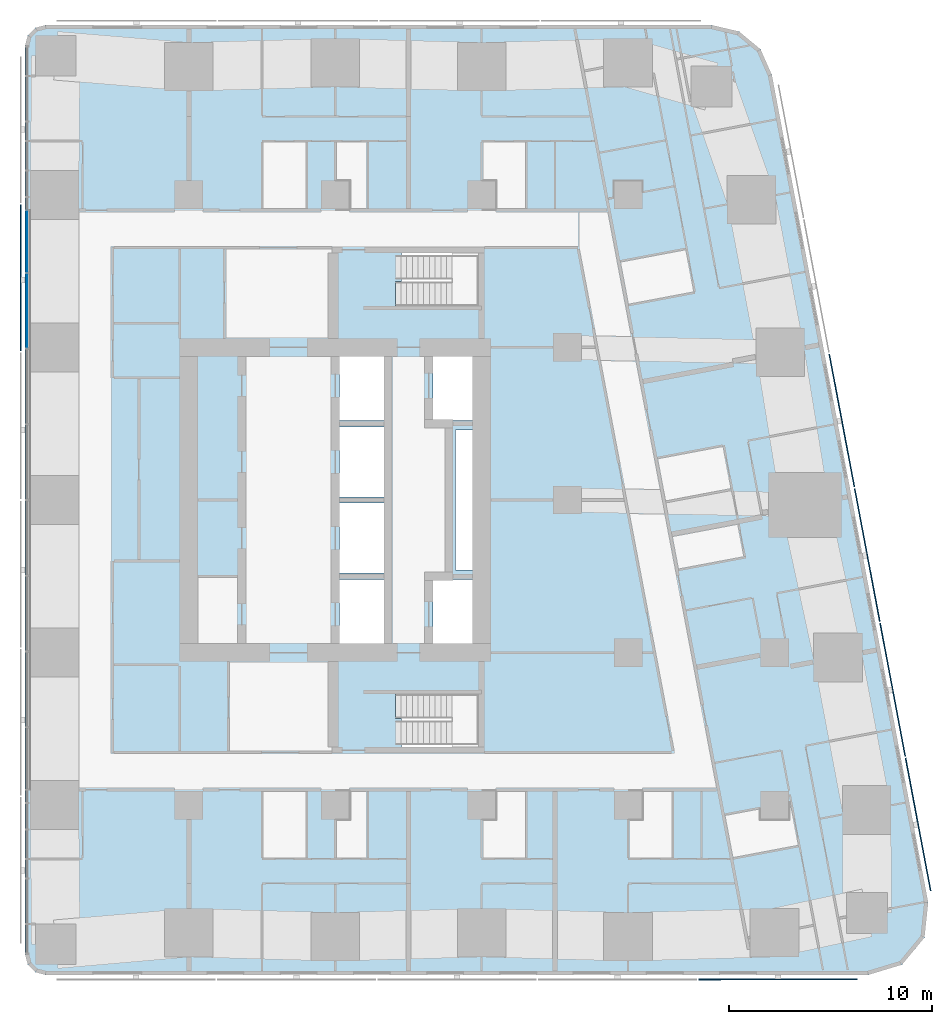
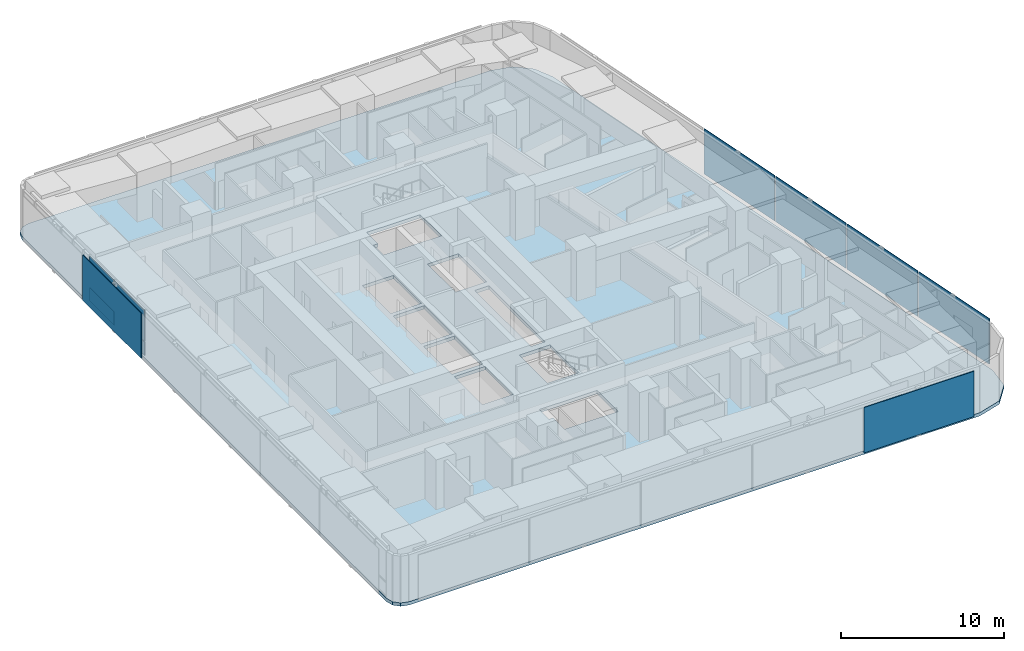
# One storey, part 8 of 19: 10 plates, 1 slab, 1 element without a shape of its own.
"""IFC4 building model written with IfcOpenShell, lengths in metres."""

import ifcopenshell
import ifcopenshell.guid

model = None  # the IFC model being written
_history = None  # IfcOwnerHistory: only IFC2X3 demands one
_inside = {}  # id of a spatial element -> (the spatial element, [elements in it])
_under = {}  # id of a project, library or spatial element -> (it, [spatial elements below it])
_declared = {}  # id of a project -> (the project, [libraries it declares])
_typed = {}  # id of a type object -> (the type object, [elements of that type])
_made_of = {}  # id of a material, layer set ... -> (it, [elements and type objects made of it])


def new_model(schema):
    """Start an empty IFC model of exactly this schema.

    Asked for "IFC4X3", IfcOpenShell would pick the latest addendum, in which some entities
    have other attributes; the version numbers below select the first issue.
    IFC2X3 requires an IfcOwnerHistory on every rooted entity: one is made here for all.
    """
    global model, _history
    if schema == "IFC4X3":
        model = ifcopenshell.file(schema_version=(4, 3, 0, 0))
    else:
        model = ifcopenshell.file(schema=schema)
    _inside.clear()
    _under.clear()
    _declared.clear()
    _typed.clear()
    _made_of.clear()
    _history = None
    if model.schema == "IFC2X3":
        org = make("IfcOrganization", Name="unknown")
        user = make(
            "IfcPersonAndOrganization",
            ThePerson=make("IfcPerson", FamilyName="unknown"),
            TheOrganization=org,
        )
        app = make(
            "IfcApplication",
            ApplicationDeveloper=org,
            Version="unknown",
            ApplicationFullName="unknown",
            ApplicationIdentifier="unknown",
        )
        _history = make(
            "IfcOwnerHistory",
            OwningUser=user,
            OwningApplication=app,
            ChangeAction="ADDED",
            CreationDate=0,
        )
    return model


def make(cls, **values):
    """One entity of the class cls with the attributes given. An attribute that is None is left unset."""
    return model.create_entity(
        cls, **{name: value for name, value in values.items() if value is not None}
    )


def rooted(cls, **values):
    """An entity with a GlobalId (a new one), such as an element, a storey or a relation."""
    return make(cls, GlobalId=ifcopenshell.guid.new(), OwnerHistory=_history, **values)


def si_unit(unit_type, name, prefix=None):
    """IfcSIUnit, for example si_unit("LENGTHUNIT", "METRE", prefix="MILLI")."""
    return make("IfcSIUnit", UnitType=unit_type, Prefix=prefix, Name=name)


def assignment(units):
    """IfcUnitAssignment: the units of a project."""
    return None if units is None else make("IfcUnitAssignment", Units=units)


def point(xyz):
    """IfcCartesianPoint."""
    return None if xyz is None else make("IfcCartesianPoint", Coordinates=xyz)


def direction(xyz):
    """IfcDirection."""
    return None if xyz is None else make("IfcDirection", DirectionRatios=xyz)


def frame(location, z_axis=None, x_axis=None):
    """IfcAxis2Placement3D, a coordinate frame: its origin and axes. An axis left out is left unset."""
    return make(
        "IfcAxis2Placement3D",
        Location=point(location),
        Axis=direction(z_axis),
        RefDirection=direction(x_axis),
    )


def frame_2d(location, x_axis=None):
    """IfcAxis2Placement2D, a coordinate frame in the plane: its origin and x axis."""
    return make(
        "IfcAxis2Placement2D", Location=point(location), RefDirection=direction(x_axis)
    )


def origin():
    """The frame at (0, 0, 0) with its axes left unset."""
    return frame((0.0, 0.0, 0.0))


def origin_2d():
    """The frame at (0, 0) in the plane with its x axis left unset."""
    return frame_2d((0.0, 0.0))


def place(relative_to, where):
    """IfcLocalPlacement: puts the frame where relative to a parent placement (None: the world)."""
    return make(
        "IfcLocalPlacement", PlacementRelTo=relative_to, RelativePlacement=where
    )


def context(
    kind, dimensions, precision=None, world=None, true_north=None, identifier=None
):
    """IfcGeometricRepresentationContext, for example the 3D "Model" context."""
    return make(
        "IfcGeometricRepresentationContext",
        ContextIdentifier=identifier,
        ContextType=kind,
        CoordinateSpaceDimension=dimensions,
        Precision=precision,
        WorldCoordinateSystem=world,
        TrueNorth=true_north,
    )


def subcontext(parent, identifier, kind, view, scale=None):
    """IfcGeometricRepresentationSubContext, for example "Body" below "Model"."""
    return make(
        "IfcGeometricRepresentationSubContext",
        ContextIdentifier=identifier,
        ContextType=kind,
        ParentContext=parent,
        TargetScale=scale,
        TargetView=view,
    )


def project(units=None, contexts=None):
    """IfcProject with its units and contexts."""
    return rooted(
        "IfcProject",
        Name="project",
        RepresentationContexts=contexts,
        UnitsInContext=assignment(units),
    )


def spatial(cls, under=None, at=None, **own):
    """A site, building, storey or space (cls), placed at a placement, below another one or the project."""
    s = rooted(cls, ObjectPlacement=at, **own)
    if under is not None:
        _under.setdefault(under.id(), (under, []))[1].append(s)
    return s


def polyline(points):
    """IfcPolyline through the points."""
    return make("IfcPolyline", Points=[point(p) for p in points])


def profile(cls, at=None, kind="AREA", **sizes):
    """A parametric profile (cls). Its sizes go by their IFC names, for example OverallWidth=200.0."""
    return make(cls, ProfileType=kind, Position=at, **sizes)


def rectangle(**sizes):
    """IfcRectangleProfileDef."""
    return profile("IfcRectangleProfileDef", **sizes)


def outline(outer, holes=None, kind="AREA"):
    """IfcArbitraryClosedProfileDef: a profile drawn as a closed curve; with holes, ...WithVoids."""
    if holes is None:
        return make("IfcArbitraryClosedProfileDef", ProfileType=kind, OuterCurve=outer)
    return make(
        "IfcArbitraryProfileDefWithVoids",
        ProfileType=kind,
        OuterCurve=outer,
        InnerCurves=holes,
    )


def extrude(swept, where, along, depth):
    """IfcExtrudedAreaSolid: the profile swept, set in the frame where, extruded along a direction by depth."""
    return make(
        "IfcExtrudedAreaSolid",
        SweptArea=swept,
        Position=where,
        ExtrudedDirection=direction(along),
        Depth=depth,
    )


def shape(context_of_items, identifier, shape_type, items):
    """IfcShapeRepresentation: the items that make up one representation, for example the "Body"."""
    return make(
        "IfcShapeRepresentation",
        ContextOfItems=context_of_items,
        RepresentationIdentifier=identifier,
        RepresentationType=shape_type,
        Items=items,
    )


def material(Name=None, Category=None):
    """IfcMaterial."""
    return make("IfcMaterial", Name=Name, Category=Category)


def layer(
    of_material, thickness, ventilated=None, Name=None, Category=None, Priority=None
):
    """IfcMaterialLayer: one layer of a wall or slab, of a material (None: an air gap)."""
    return make(
        "IfcMaterialLayer",
        Material=of_material,
        LayerThickness=thickness,
        IsVentilated=ventilated,
        Name=Name,
        Category=Category,
        Priority=Priority,
    )


def layer_set(layers, Name=None):
    """IfcMaterialLayerSet."""
    return make("IfcMaterialLayerSet", MaterialLayers=layers, LayerSetName=Name)


def made_of(thing, what):
    """Note that an element or type object is made of a material, layer set ...; save() writes the relation."""
    if what is not None:
        _made_of.setdefault(what.id(), (what, []))[1].append(thing)
    return thing


def type_object(cls, material=None, **own):
    """A type object (cls), such as IfcWallType, which elements share."""
    return made_of(rooted(cls, **own), material)


def element(
    cls,
    number,
    at=None,
    inside=None,
    cuts=None,
    type_object=None,
    material=None,
    context=None,
    identifier="Body",
    shape_type=None,
    held_by="IfcProductDefinitionShape",
    body=None,
    shapes=None,
    **own,
):
    """One element of the class cls, such as IfcWall. Its Tag is "e" and its number.

    at: its placement. inside: the storey or other place that contains it. cuts: it is an
    opening in that element (IfcRelVoidsElement). A single representation is given by context,
    identifier, shape_type and body (its items); several are given by shapes. held_by: the class
    of the entity that holds the representations. save() writes the other relations.
    """
    e = rooted(cls, Tag="e%d" % number, ObjectPlacement=at, **own)
    if body is not None:
        shapes = [shape(context, identifier, shape_type, body)]
    if shapes is not None:
        e.Representation = make(held_by, Representations=shapes)
    if inside is not None:
        _inside.setdefault(inside.id(), (inside, []))[1].append(e)
    if cuts is not None:
        rooted(
            "IfcRelVoidsElement", RelatingBuildingElement=cuts, RelatedOpeningElement=e
        )
    if type_object is not None:
        _typed.setdefault(type_object.id(), (type_object, []))[1].append(e)
    return made_of(e, material)


def aggregate(whole, parts):
    """IfcRelAggregates: a whole, such as a stair, and the parts it consists of."""
    return rooted("IfcRelAggregates", RelatingObject=whole, RelatedObjects=parts)


def save(model, path):
    """Write the relations noted so far, then the file.

    IfcRelAggregates (storeys below a building ...), IfcRelContainedInSpatialStructure (elements
    in a storey), IfcRelDefinesByType, IfcRelAssociatesMaterial and IfcRelDeclares: one each for
    every whole, place, type object, material and project.
    """
    for whole, parts in _under.values():
        aggregate(whole, parts)
    for where, things in _inside.values():
        rooted(
            "IfcRelContainedInSpatialStructure",
            RelatedElements=things,
            RelatingStructure=where,
        )
    for kind, things in _typed.values():
        rooted("IfcRelDefinesByType", RelatedObjects=things, RelatingType=kind)
    for what, things in _made_of.values():
        rooted("IfcRelAssociatesMaterial", RelatedObjects=things, RelatingMaterial=what)
    for by, libraries in _declared.values():
        rooted("IfcRelDeclares", RelatingContext=by, RelatedDefinitions=libraries)
    model.write(path)


model = new_model("IFC4")

# Units and contexts
model_context = context("Model", 3, precision=1e-05, world=origin(), true_north=direction((0.0, 1.0)))
body_context = subcontext(model_context, "Body", "Model", "MODEL_VIEW")
ifc_project = project(units=[si_unit("LENGTHUNIT", "METRE"), si_unit("AREAUNIT", "SQUARE_METRE"), si_unit("VOLUMEUNIT", "CUBIC_METRE"), si_unit("PLANEANGLEUNIT", "RADIAN"), si_unit("MASSUNIT", "GRAM", prefix="KILO")], contexts=[model_context])

# Site, building, storey
site_placement = place(None, origin())
site = spatial("IfcSite", under=ifc_project, at=site_placement, CompositionType="ELEMENT")
building_placement = place(site_placement, origin())
building = spatial("IfcBuilding", under=site, at=building_placement, Name="Sheger Commons Tower", CompositionType="ELEMENT")
storey_placement = place(building_placement, frame((0.0, 0.0, 216.199951171875)))
storey = spatial("IfcBuildingStorey", under=building, at=storey_placement, Name="L55", CompositionType="ELEMENT", Elevation=216.199951171875)

# Curtain wall, plates
ifc_material_1 = material(Name="Black aluminium curtain wall, dark tinted glazing", Category="aluminium")
curtain_wall_type = type_object("IfcCurtainWallType", Name="CURTAIN WALL CW4 GALLERY", PredefinedType="USERDEFINED", material=ifc_material_1)
curtain_wall_placement = place(storey_placement, origin())
curtain_wall = element("IfcCurtainWall", 1, at=curtain_wall_placement, inside=storey, type_object=curtain_wall_type, Name="Curtain Wall Cw4 Gallery W1 L55", ObjectType="UNITISED CURTAIN WALL", PredefinedType="USERDEFINED")
ifc_material_2 = material(Name="Dark tinted double glazing", Category="glass")
ifc_layer_1 = layer(ifc_material_2, 0.031982421875)
ifc_layer_set_1 = layer_set([ifc_layer_1], Name="GLAZED PANEL 32")
plate_type_1 = type_object("IfcPlateType", Name="GLAZED PANEL 32", PredefinedType="CURTAIN_PANEL", material=ifc_layer_set_1)
plate_1_placement = place(storey_placement, frame((6.449951171875, 35.208984375, 0.065185546875), z_axis=(0.0, 0.0, 1.0), x_axis=(0.0, -1.0, 0.0)))
plate_1 = element("IfcPlate", 2, at=plate_1_placement, type_object=plate_type_1, Name="CW4 panel 7.1", PredefinedType="CURTAIN_PANEL", context=body_context, shape_type="SweptSolid", body=[
    extrude(rectangle(XDim=3.01708984375, YDim=0.031982421875, at=origin_2d()), origin(), (0.0, 0.0, 1.0), 1.00244140625),
])
plate_2_placement = place(storey_placement, frame((6.449951171875, 35.208984375, 1.13232421875), z_axis=(0.0, 0.0, 1.0), x_axis=(0.0, -1.0, 0.0)))
plate_2 = element("IfcPlate", 3, at=plate_2_placement, type_object=plate_type_1, Name="CW4 panel 7.2", PredefinedType="CURTAIN_PANEL", context=body_context, shape_type="SweptSolid", body=[
    extrude(rectangle(XDim=3.01708984375, YDim=0.031982421875, at=origin_2d()), origin(), (0.0, 0.0, 1.0), 2.302490234375),
])
plate_3_placement = place(storey_placement, frame((6.449951171875, 31.806884765625, 0.065185546875), z_axis=(0.0, 0.0, 1.0), x_axis=(0.0, -1.0, 0.0)))
plate_3 = element("IfcPlate", 4, at=plate_3_placement, type_object=plate_type_1, Name="CW4 panel 8.1", PredefinedType="CURTAIN_PANEL", context=body_context, shape_type="SweptSolid", body=[
    extrude(rectangle(XDim=3.656982421875, YDim=0.031982421875, at=origin_2d()), origin(), (0.0, 0.0, 1.0), 1.00244140625),
])
plate_4_placement = place(storey_placement, frame((6.449951171875, 31.806884765625, 1.13232421875), z_axis=(0.0, 0.0, 1.0), x_axis=(0.0, -1.0, 0.0)))
plate_4 = element("IfcPlate", 5, at=plate_4_placement, type_object=plate_type_1, Name="CW4 panel 8.2", PredefinedType="CURTAIN_PANEL", context=body_context, shape_type="SweptSolid", body=[
    extrude(rectangle(XDim=3.656982421875, YDim=0.031982421875, at=origin_2d()), origin(), (0.0, 0.0, 1.0), 2.302490234375),
])
aggregate(curtain_wall, [plate_1, plate_2, plate_3, plate_4])

# Slab
ifc_material_3 = material(Name="Concrete C35/45", Category="concrete")
ifc_layer_2 = layer(ifc_material_3, 0.25)
ifc_layer_set_2 = layer_set([ifc_layer_2], Name="SLAB FLOOR 250")
slab_type = type_object("IfcSlabType", Name="SLAB FLOOR 250", PredefinedType="FLOOR", material=ifc_layer_set_2)
slab_placement = place(storey_placement, frame((0.0, 0.0, -0.25)))
element("IfcSlab", 6, at=slab_placement, inside=storey, type_object=slab_type, Name="L55 floor slab", PredefinedType="FLOOR", context=body_context, shape_type="SweptSolid", body=[
    extrude(outline(polyline([(6.35009765625, 0.14990234375), (6.48388671875, -0.35009765625), (6.85009765625, -0.716064453125), (7.35009765625, -0.85009765625), (47.805908203125, -0.85009765625), (49.465087890625, -0.35009765625), (50.570068359375, 0.98388671875), (50.75390625, 2.70703125), (43.06591796875, 43.406982421875), (42.509033203125, 44.660888671875), (41.452880859375, 45.535888671875), (40.117919921875, 45.85009765625), (7.35009765625, 45.85009765625), (6.85009765625, 45.716064453125), (6.48388671875, 45.35009765625), (6.35009765625, 44.85009765625), (6.35009765625, 0.14990234375)]), holes=[polyline([(24.85009765625, 10.35009765625), (28.64990234375, 10.35009765625), (28.64990234375, 12.949951171875), (24.551025390625, 12.949951171875), (24.551025390625, 11.75), (24.85009765625, 11.75), (24.85009765625, 10.35009765625)]), polyline([(24.551025390625, 32.050048828125), (28.64990234375, 32.050048828125), (28.64990234375, 34.64990234375), (24.85009765625, 34.64990234375), (24.85009765625, 33.25), (24.551025390625, 33.25), (24.551025390625, 32.050048828125)]), polyline([(26.39990234375, 15.14990234375), (28.60009765625, 15.14990234375), (28.60009765625, 18.60009765625), (26.39990234375, 18.60009765625), (26.39990234375, 15.14990234375)]), polyline([(26.39990234375, 26.39990234375), (28.60009765625, 26.39990234375), (28.60009765625, 29.85009765625), (26.39990234375, 29.85009765625), (26.39990234375, 26.39990234375)]), polyline([(21.800048828125, 15.14990234375), (24.0, 15.14990234375), (24.0, 18.60009765625), (21.800048828125, 18.60009765625), (21.800048828125, 15.14990234375)]), polyline([(21.800048828125, 18.89990234375), (24.0, 18.89990234375), (24.0, 22.35009765625), (21.800048828125, 22.35009765625), (21.800048828125, 18.89990234375)]), polyline([(21.800048828125, 22.64990234375), (24.0, 22.64990234375), (24.0, 26.10009765625), (21.800048828125, 26.10009765625), (21.800048828125, 22.64990234375)]), polyline([(21.800048828125, 26.39990234375), (24.0, 26.39990234375), (24.0, 29.85009765625), (21.800048828125, 29.85009765625), (21.800048828125, 26.39990234375)]), polyline([(27.5, 19.050048828125), (28.5, 19.050048828125), (28.5, 25.949951171875), (27.5, 25.949951171875), (27.5, 19.050048828125)])]), origin(), (0.0, 0.0, 1.0), 0.25),
])

# Plates
ifc_material_4 = material(Name="Perforated black anodised aluminium screen", Category="aluminium")
ifc_layer_3 = layer(ifc_material_4, 0.050048828125)
ifc_layer_set_3 = layer_set([ifc_layer_3], Name="SOLAR SCREEN SCREEN-1")
plate_type_2 = type_object("IfcPlateType", Name="SOLAR SCREEN SCREEN-1", PredefinedType="USERDEFINED", material=ifc_layer_set_3)
plate_5_placement = place(storey_placement, frame((43.360107421875, -1.074951171875, 0.050048828125), z_axis=(0.0, 0.0, 1.0), x_axis=(1.0, 0.0, 0.0)))
element("IfcPlate", 7, at=plate_5_placement, inside=storey, type_object=plate_type_2, Name="Perforated solar screen panel", ObjectType="SCREEN", PredefinedType="USERDEFINED", context=body_context, shape_type="SweptSolid", body=[
    extrude(rectangle(XDim=7.791015625, YDim=0.050048828125, at=origin_2d()), origin(), (0.0, 0.0, 1.0), 3.39990234375),
])
for number, where, z_axis, x_axis, name in (
    (8, (50.257080078125, 6.550048828125, 0.050048828125), (0.0, 0.0, 1.0), (-0.185615165645, 0.982622516678, 0.0), "Perforated solar screen panel"),
    (9, (49.007080078125, 13.1689453125, 0.050048828125), (0.0, 0.0, 1.0), (-0.185615165645, 0.982622516678, 0.0), "Perforated solar screen panel"),
    (10, (47.756103515625, 19.7890625, 0.050048828125), (0.0, 0.0, 1.0), (-0.185615165645, 0.982622516678, 0.0), "Perforated solar screen panel"),
    (11, (46.506103515625, 26.408935546875, 0.050048828125), (0.0, 0.0, 1.0), (-0.185615165645, 0.982622516678, 0.0), "Perforated solar screen panel"),
):
    element("IfcPlate", number, at=place(storey_placement, frame(where, z_axis=z_axis, x_axis=x_axis)), inside=storey, type_object=plate_type_2, Name=name, ObjectType="SCREEN", PredefinedType="USERDEFINED", context=body_context, shape_type="SweptSolid", body=[
        extrude(rectangle(XDim=6.636962890625, YDim=0.050048828125, at=origin_2d()), origin(), (0.0, 0.0, 1.0), 3.39990234375),
    ])
plate_6_placement = place(storey_placement, frame((6.125, 33.425048828125, 0.050048828125), z_axis=(0.0, 0.0, 1.0), x_axis=(0.0, -1.0, 0.0)))
element("IfcPlate", 12, at=plate_6_placement, inside=storey, type_object=plate_type_2, Name="Perforated solar screen panel", ObjectType="SCREEN", PredefinedType="USERDEFINED", context=body_context, shape_type="SweptSolid", body=[
    extrude(rectangle(XDim=7.18310546875, YDim=0.050048828125, at=origin_2d()), origin(), (0.0, 0.0, 1.0), 3.39990234375),
])

save(model, "model.ifc")
